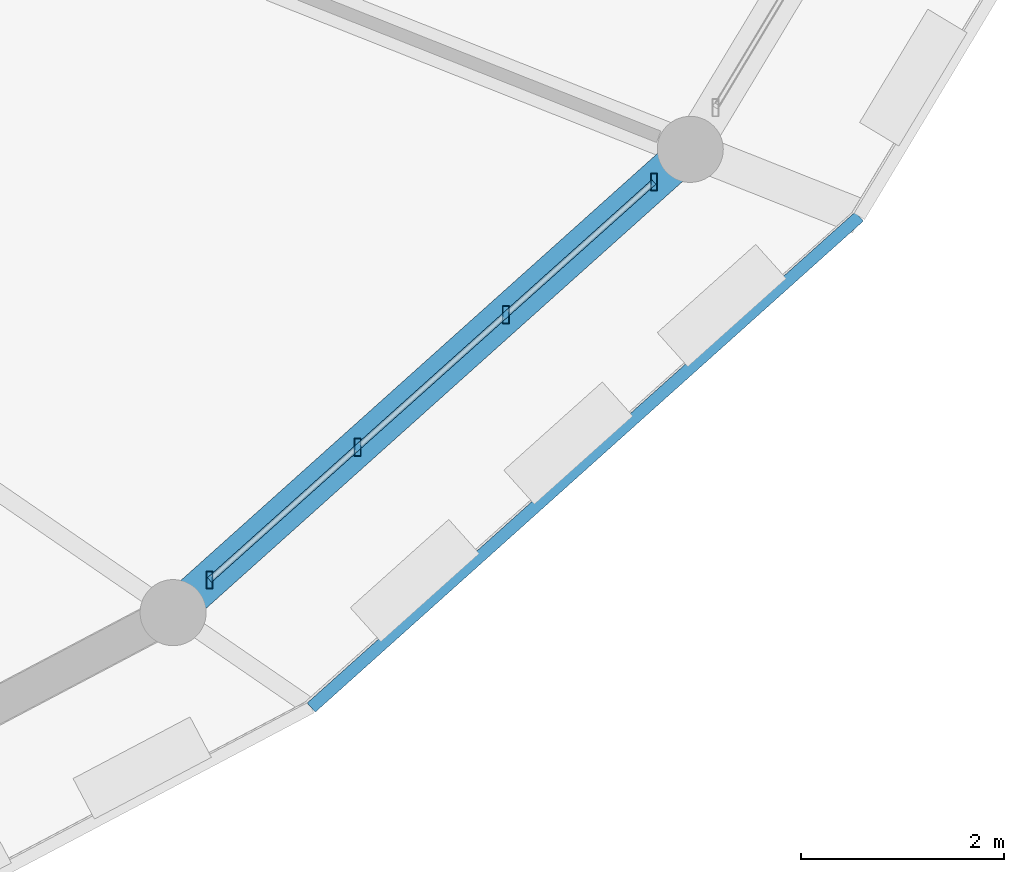
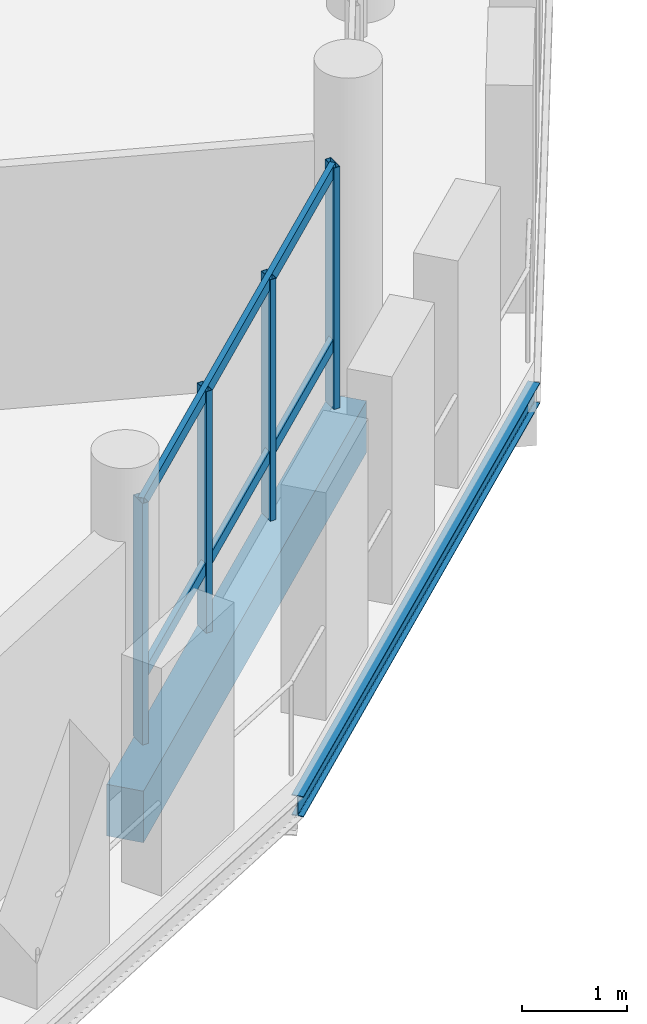
# One storey, part 34 of 84: 6 members, 2 beams, 1 element without a shape of its own.
"""IFC4 building model written with IfcOpenShell, lengths in metres."""

from ifc_helpers import new_model, si_unit, direction, frame, origin, origin_2d, place, context, subcontext, project, spatial, rectangle, hollow_rectangle, i_section, extrude, material, material_profile, profile_set, type_object, element, aggregate, save


model = new_model("IFC4")

# Units and contexts
model_context = context("Model", 3, precision=1e-05, world=origin(), true_north=direction((0.0, 1.0)))
body_context = subcontext(model_context, "Body", "Model", "MODEL_VIEW")
ifc_project = project(units=[si_unit("LENGTHUNIT", "METRE"), si_unit("AREAUNIT", "SQUARE_METRE"), si_unit("VOLUMEUNIT", "CUBIC_METRE"), si_unit("PLANEANGLEUNIT", "RADIAN"), si_unit("MASSUNIT", "GRAM", prefix="KILO")], contexts=[model_context])

# Site, building, storey
site_placement = place(None, origin())
site = spatial("IfcSite", under=ifc_project, at=site_placement, CompositionType="ELEMENT")
building_placement = place(site_placement, origin())
building = spatial("IfcBuilding", under=site, at=building_placement, Name="Zornivar Specialist Clinic", CompositionType="ELEMENT")
storey_placement = place(building_placement, frame((0.0, 0.0, 12.300048828125)))
storey = spatial("IfcBuildingStorey", under=building, at=storey_placement, Name="L03", CompositionType="ELEMENT", Elevation=12.300048828125)

# Beams
ifc_material_1 = material(Name="Concrete C30/37", Category="concrete")
ifc_material_profile_1 = material_profile(ifc_material_1, rectangle(XDim=0.3701171875, YDim=0.60009765625, at=origin_2d()), Name="RC 370x600")
ifc_profile_set_1 = profile_set([ifc_material_profile_1], Name="Concrete C30/37")
beam_type_1 = type_object("IfcBeamType", Name="BM-RC-SPANDREL-370x600", PredefinedType="SPANDREL", material=ifc_profile_set_1)
beam_1_placement = place(storey_placement, frame((116.22705078125, 42.0439453125, -0.5400390625), z_axis=(0.744835335723, 0.667248321585, 0.0), x_axis=(-0.667248321585, 0.744835335723, 0.0)))
element("IfcBeam", 1, at=beam_1_placement, inside=storey, type_object=beam_type_1, Name="bm:V1:L03:outring:21", PredefinedType="SPANDREL", context=body_context, shape_type="SweptSolid", body=[
    extrude(rectangle(XDim=0.3701171875, YDim=0.60009765625, at=origin_2d()), origin(), (0.0, 0.0, 1.0), 6.828369140625),
])
ifc_material_2 = material(Name="Steel S355J2", Category="steel")
ifc_material_profile_2 = material_profile(ifc_material_2, i_section(OverallWidth=0.1201171875, OverallDepth=0.239990234375, WebThickness=0.006103515625, FlangeThickness=0.009765625, FilletRadius=0.014892578125, at=origin_2d()), Name="IPE 240")
ifc_profile_set_2 = profile_set([ifc_material_profile_2], Name="Steel S355J2")
beam_type_2 = type_object("IfcBeamType", Name="BM-STL-IPE240", PredefinedType="JOIST", material=ifc_profile_set_2)
beam_2_placement = place(storey_placement, frame((117.5849609375, 41.110107421875, -0.360107421875), z_axis=(0.744815079805, 0.667270932152, 0.0), x_axis=(-0.667270932152, 0.744815079805, 0.0)))
element("IfcBeam", 2, at=beam_2_placement, inside=storey, type_object=beam_type_2, Name="bm:V1:L03:balring:21", PredefinedType="JOIST", context=body_context, shape_type="SweptSolid", body=[
    extrude(i_section(OverallWidth=0.1201171875, OverallDepth=0.239990234375, WebThickness=0.006103515625, FlangeThickness=0.009765625, FilletRadius=0.014892578125, at=origin_2d()), origin(), (0.0, 0.0, 1.0), 7.23828125),
])

# Curtain wall, members
ifc_material_3 = material(Name="Aluminium and Low-E Glass Curtain Wall", Category="aluminium")
curtain_wall_type = type_object("IfcCurtainWallType", Name="CW-DRUM-FACET", PredefinedType="NOTDEFINED", material=ifc_material_3)
curtain_wall_placement = place(storey_placement, origin())
curtain_wall = element("IfcCurtainWall", 3, at=curtain_wall_placement, inside=storey, type_object=curtain_wall_type, Name="cw:V1:L03:c21", PredefinedType="NOTDEFINED")
ifc_material_4 = material(Name="Aluminium AW-6060", Category="aluminium")
ifc_material_profile_3 = material_profile(ifc_material_4, hollow_rectangle(XDim=0.06494140625, YDim=0.175048828125, WallThickness=0.00439453125, at=origin_2d()), Name="ALU 65x175x4.5")
ifc_profile_set_3 = profile_set([ifc_material_profile_3], Name="Aluminium AW-6060")
member_type_1 = type_object("IfcMemberType", Name="CWM-MUL-175", PredefinedType="MULLION", material=ifc_profile_set_3)
member_1_placement = place(storey_placement, frame((116.5849609375, 42.364990234375, 0.0), z_axis=(0.0, 0.0, 1.0), x_axis=(1.0, 0.0, 0.0)))
member_1 = element("IfcMember", 4, at=member_1_placement, type_object=member_type_1, Name="cw:V1:L03:c21:mul:0", PredefinedType="MULLION", context=body_context, shape_type="SweptSolid", body=[
    extrude(hollow_rectangle(XDim=0.06494140625, YDim=0.175048828125, WallThickness=0.00439453125, at=origin_2d()), origin(), (0.0, 0.0, 1.0), 2.81005859375),
])
member_2_placement = place(storey_placement, frame((118.0419921875, 43.669921875, 0.0), z_axis=(0.0, 0.0, 1.0), x_axis=(1.0, 0.0, 0.0)))
member_2 = element("IfcMember", 5, at=member_2_placement, type_object=member_type_1, Name="cw:V1:L03:c21:mul:1", PredefinedType="MULLION", context=body_context, shape_type="SweptSolid", body=[
    extrude(hollow_rectangle(XDim=0.06494140625, YDim=0.175048828125, WallThickness=0.00439453125, at=origin_2d()), origin(), (0.0, 0.0, 1.0), 2.81005859375),
])
member_3_placement = place(storey_placement, frame((119.4990234375, 44.97509765625, 0.0), z_axis=(0.0, 0.0, 1.0), x_axis=(1.0, 0.0, 0.0)))
member_3 = element("IfcMember", 6, at=member_3_placement, type_object=member_type_1, Name="cw:V1:L03:c21:mul:2", PredefinedType="MULLION", context=body_context, shape_type="SweptSolid", body=[
    extrude(hollow_rectangle(XDim=0.06494140625, YDim=0.175048828125, WallThickness=0.00439453125, at=origin_2d()), origin(), (0.0, 0.0, 1.0), 2.81005859375),
])
member_4_placement = place(storey_placement, frame((120.955078125, 46.279052734375, 0.0), z_axis=(0.0, 0.0, 1.0), x_axis=(1.0, 0.0, 0.0)))
member_4 = element("IfcMember", 7, at=member_4_placement, type_object=member_type_1, Name="cw:V1:L03:c21:mul:3", PredefinedType="MULLION", context=body_context, shape_type="SweptSolid", body=[
    extrude(hollow_rectangle(XDim=0.06494140625, YDim=0.175048828125, WallThickness=0.00439453125, at=origin_2d()), origin(), (0.0, 0.0, 1.0), 2.81005859375),
])
ifc_material_5 = material(Name="Aluminium AW-6060", Category="aluminium")
ifc_material_profile_4 = material_profile(ifc_material_5, hollow_rectangle(XDim=0.06005859375, YDim=0.14501953125, WallThickness=0.00390625, at=origin_2d()), Name="ALU 60x145x4")
ifc_profile_set_4 = profile_set([ifc_material_profile_4], Name="Aluminium AW-6060")
member_type_2 = type_object("IfcMemberType", Name="CWM-TRN-145", PredefinedType="USERDEFINED", material=ifc_profile_set_4)
member_5_placement = place(storey_placement, frame((116.5849609375, 42.364990234375, 0.73095703125), z_axis=(0.744905995643, 0.667169436991, 0.0), x_axis=(-0.667169436991, 0.744905995643, 0.0)))
member_5 = element("IfcMember", 8, at=member_5_placement, type_object=member_type_2, Name="cw:V1:L03:c21:trn:0", ObjectType="TRANSOM", PredefinedType="USERDEFINED", context=body_context, shape_type="SweptSolid", body=[
    extrude(hollow_rectangle(XDim=0.06005859375, YDim=0.14501953125, WallThickness=0.00390625, at=origin_2d()), origin(), (0.0, 0.0, 1.0), 5.86669921875),
])
member_6_placement = place(storey_placement, frame((116.5849609375, 42.364990234375, 2.744873046875), z_axis=(0.744905995643, 0.667169436991, 0.0), x_axis=(-0.667169436991, 0.744905995643, 0.0)))
member_6 = element("IfcMember", 9, at=member_6_placement, type_object=member_type_2, Name="cw:V1:L03:c21:trn:1", ObjectType="TRANSOM", PredefinedType="USERDEFINED", context=body_context, shape_type="SweptSolid", body=[
    extrude(hollow_rectangle(XDim=0.06005859375, YDim=0.14501953125, WallThickness=0.00390625, at=origin_2d()), origin(), (0.0, 0.0, 1.0), 5.86669921875),
])
aggregate(curtain_wall, [member_1, member_2, member_3, member_4, member_5, member_6])

save(model, "model.ifc")
